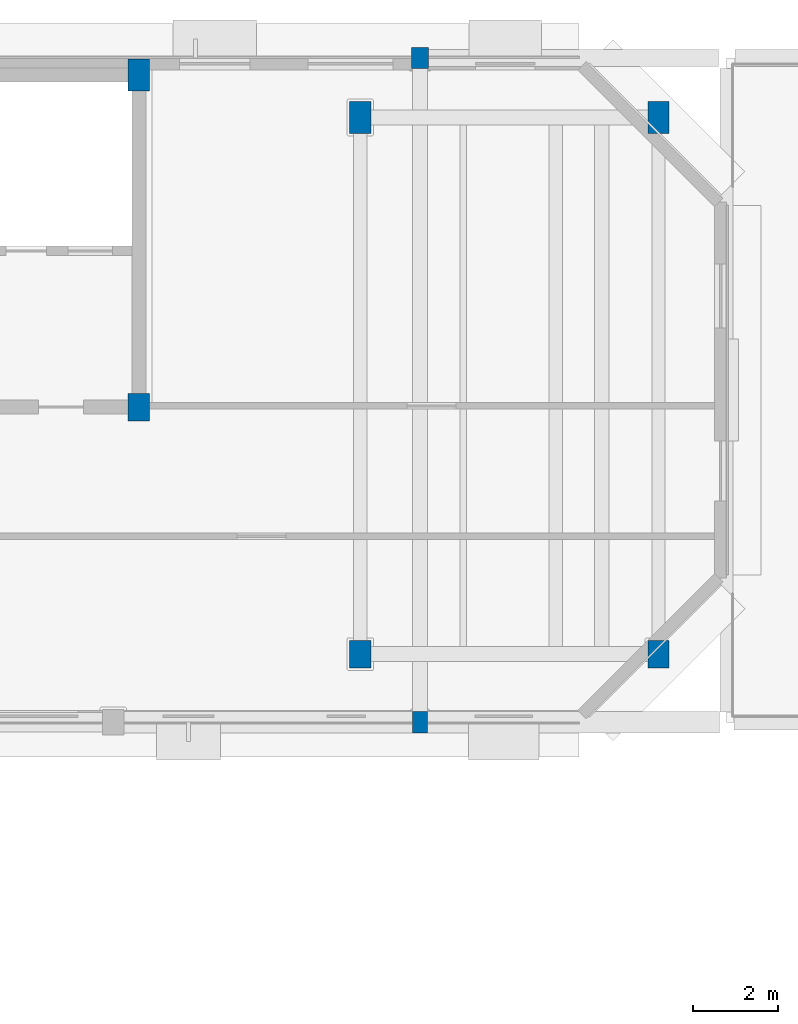
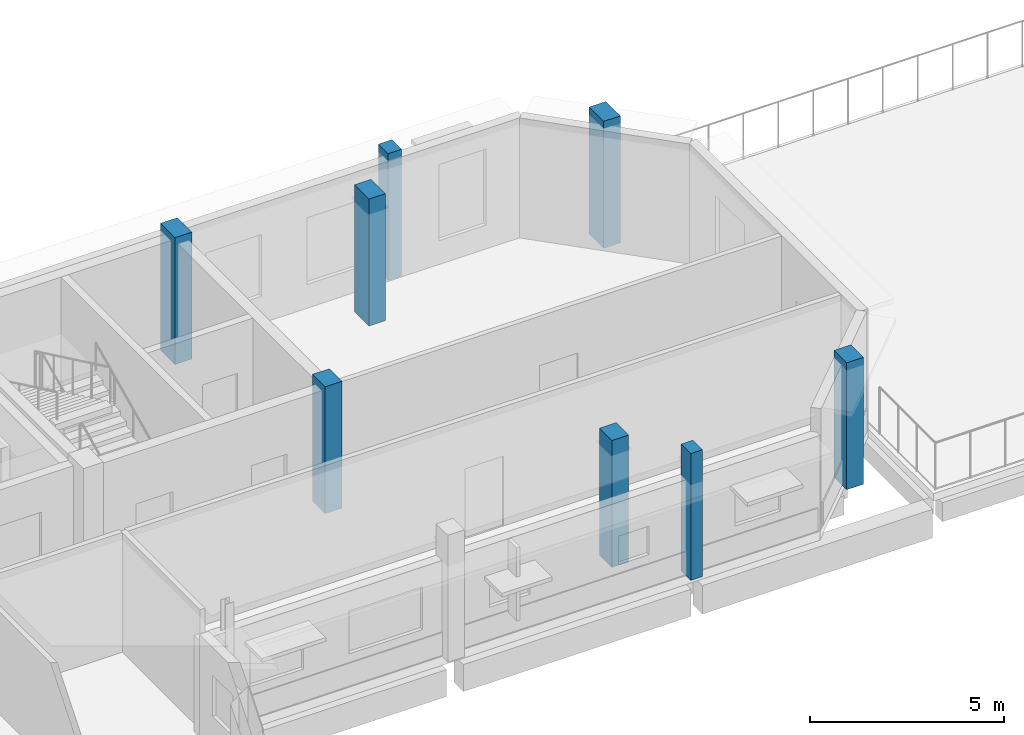
# One storey, part 13 of 78: 8 columns.
"""IFC4 building model written with IfcOpenShell, lengths in metres."""

from ifc_helpers import new_model, si_unit, direction, frame, origin, origin_2d, place, context, subcontext, project, spatial, rectangle, extrude, material, material_profile, profile_set, type_object, element, save


model = new_model("IFC4")

# Units and contexts
model_context = context("Model", 3, precision=1e-05, world=origin(), true_north=direction((0.0, 1.0)))
body_context = subcontext(model_context, "Body", "Model", "MODEL_VIEW")
ifc_project = project(units=[si_unit("LENGTHUNIT", "METRE"), si_unit("AREAUNIT", "SQUARE_METRE"), si_unit("VOLUMEUNIT", "CUBIC_METRE"), si_unit("PLANEANGLEUNIT", "RADIAN"), si_unit("MASSUNIT", "GRAM", prefix="KILO")], contexts=[model_context])

# Site, building, storey
site_placement = place(None, origin())
site = spatial("IfcSite", under=ifc_project, at=site_placement, CompositionType="ELEMENT")
building_placement = place(site_placement, origin())
building = spatial("IfcBuilding", under=site, at=building_placement, Name="Kelanivale Promenade Academy", CompositionType="ELEMENT")
storey_placement = place(building_placement, frame((0.0, 0.0, 16.199951171875)))
storey = spatial("IfcBuildingStorey", under=building, at=storey_placement, Name="L04", CompositionType="ELEMENT", Elevation=16.199951171875)

# Columns
ifc_material = material(Name="Concrete C40/50", Category="concrete")
ifc_material_profile_1 = material_profile(ifc_material, rectangle(XDim=0.5, YDim=0.64990234375, at=origin_2d()), Name="RC-COL 500x650")
ifc_profile_set_1 = profile_set([ifc_material_profile_1], Name="Concrete C40/50")
column_type_1 = type_object("IfcColumnType", Name="C-11 RC-COL 500x650", PredefinedType="COLUMN", material=ifc_profile_set_1)
for number, where, z_axis, x_axis, name in (
    (1, (130.60009765625, 103.800048828125, 0.0), (0.0, 0.0, 1.0), (1.0, 0.0, 0.0), "Column C-11 at (130.6, 103.8) L04"),
    (2, (135.800048828125, 98.0, 0.0), (0.0, 0.0, 1.0), (1.0, 0.0, 0.0), "Column C-11 at (135.8, 98.0) L04"),
    (3, (142.800048828125, 98.0, 0.0), (0.0, 0.0, 1.0), (1.0, 0.0, 0.0), "Column C-11 at (142.8, 98.0) L04"),
):
    element("IfcColumn", number, at=place(storey_placement, frame(where, z_axis=z_axis, x_axis=x_axis)), inside=storey, type_object=column_type_1, Name=name, PredefinedType="COLUMN", context=body_context, shape_type="SweptSolid", body=[
        extrude(rectangle(XDim=0.5, YDim=0.64990234375, at=origin_2d()), origin(), (0.0, 0.0, 1.0), 4.0),
    ])
ifc_material_profile_2 = material_profile(ifc_material, rectangle(XDim=0.5, YDim=0.75, at=origin_2d()), Name="RC-COL 500x750")
ifc_profile_set_2 = profile_set([ifc_material_profile_2], Name="Concrete C40/50")
column_type_2 = type_object("IfcColumnType", Name="C-12 RC-COL 500x750", PredefinedType="COLUMN", material=ifc_profile_set_2)
for number, where, z_axis, x_axis, name in (
    (4, (130.60009765625, 111.60009765625, 0.0), (0.0, 0.0, 1.0), (1.0, 0.0, 0.0), "Column C-12 at (130.6, 111.6) L04"),
    (5, (135.800048828125, 110.60009765625, 0.0), (0.0, 0.0, 1.0), (1.0, 0.0, 0.0), "Column C-12 at (135.8, 110.6) L04"),
    (6, (142.800048828125, 110.60009765625, 0.0), (0.0, 0.0, 1.0), (1.0, 0.0, 0.0), "Column C-12 at (142.8, 110.6) L04"),
):
    element("IfcColumn", number, at=place(storey_placement, frame(where, z_axis=z_axis, x_axis=x_axis)), inside=storey, type_object=column_type_2, Name=name, PredefinedType="COLUMN", context=body_context, shape_type="SweptSolid", body=[
        extrude(rectangle(XDim=0.5, YDim=0.75, at=origin_2d()), origin(), (0.0, 0.0, 1.0), 4.0),
    ])
ifc_material_profile_3 = material_profile(ifc_material, rectangle(XDim=0.35009765625, YDim=0.5, at=origin_2d()), Name="RC-PIL 350x500")
ifc_profile_set_3 = profile_set([ifc_material_profile_3], Name="Concrete C40/50")
column_type_3 = type_object("IfcColumnType", Name="PL-15 RC-PIL 350x500", PredefinedType="PILASTER", material=ifc_profile_set_3)
column_1_placement = place(storey_placement, frame((137.199951171875, 96.39990234375, 0.0), z_axis=(0.0, 0.0, 1.0), x_axis=(1.0, 0.0, 0.0)))
element("IfcColumn", 7, at=column_1_placement, inside=storey, type_object=column_type_3, Name="Column PL-15 at (137.2, 96.4) L04", PredefinedType="PILASTER", context=body_context, shape_type="SweptSolid", body=[
    extrude(rectangle(XDim=0.35009765625, YDim=0.5, at=origin_2d()), origin(), (0.0, 0.0, 1.0), 4.0),
])
ifc_material_profile_4 = material_profile(ifc_material, rectangle(XDim=0.39990234375, YDim=0.5, at=origin_2d()), Name="RC-PIL 400x500")
ifc_profile_set_4 = profile_set([ifc_material_profile_4], Name="Concrete C40/50")
column_type_4 = type_object("IfcColumnType", Name="PL-16 RC-PIL 400x500", PredefinedType="PILASTER", material=ifc_profile_set_4)
column_2_placement = place(storey_placement, frame((137.199951171875, 112.0, 0.0), z_axis=(0.0, 0.0, 1.0), x_axis=(1.0, 0.0, 0.0)))
element("IfcColumn", 8, at=column_2_placement, inside=storey, type_object=column_type_4, Name="Column PL-16 at (137.2, 112.0) L04", PredefinedType="PILASTER", context=body_context, shape_type="SweptSolid", body=[
    extrude(rectangle(XDim=0.39990234375, YDim=0.5, at=origin_2d()), origin(), (0.0, 0.0, 1.0), 4.0),
])

save(model, "model.ifc")
